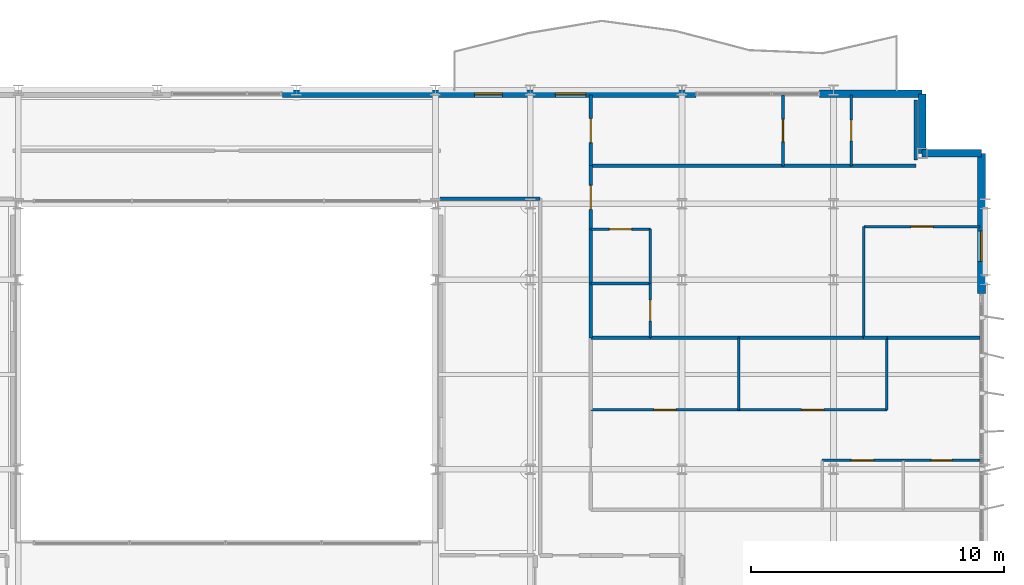
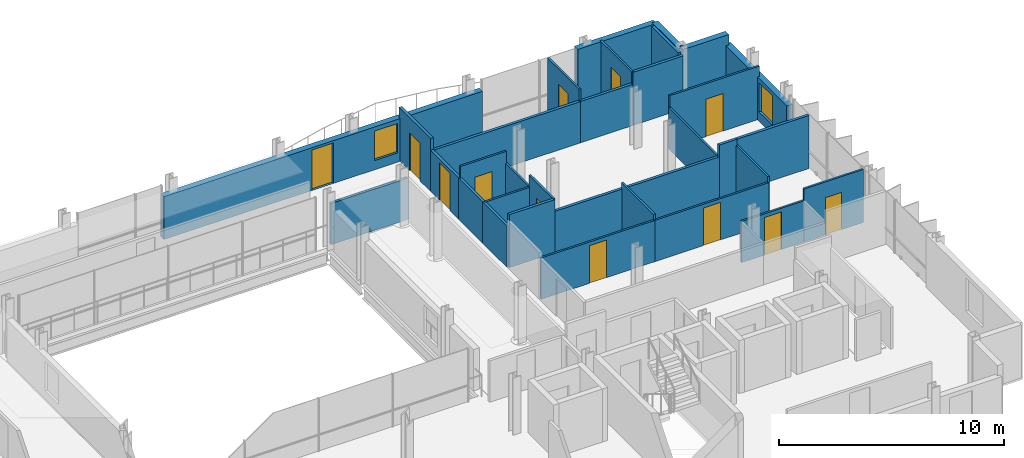
# One storey, part 33 of 38: 33 walls, 12 doors, 2 windows, 14 openings.
"""IFC4 building model written with IfcOpenShell, lengths in metres."""

from ifc_helpers import new_model, si_unit, direction, frame, frame_2d, origin, place, context, subcontext, project, spatial, rectangle, extrude, material, layer, layer_set, type_object, element, fill, save


model = new_model("IFC4")

# Units and contexts
model_context = context("Model", 3, precision=1e-05, world=origin(), true_north=direction((0.0, 1.0)))
body_context = subcontext(model_context, "Body", "Model", "MODEL_VIEW")
ifc_project = project(units=[si_unit("LENGTHUNIT", "METRE"), si_unit("AREAUNIT", "SQUARE_METRE"), si_unit("VOLUMEUNIT", "CUBIC_METRE"), si_unit("PLANEANGLEUNIT", "RADIAN"), si_unit("MASSUNIT", "GRAM", prefix="KILO")], contexts=[model_context])

# Site, building, storey
site_placement = place(None, origin())
site = spatial("IfcSite", under=ifc_project, at=site_placement, CompositionType="ELEMENT")
building_placement = place(site_placement, origin())
building = spatial("IfcBuilding", under=site, at=building_placement, Name="Brevholm Reach", CompositionType="ELEMENT")
storey_placement = place(building_placement, frame((0.0, 0.0, 141.800048828125)))
storey = spatial("IfcBuildingStorey", under=building, at=storey_placement, Name="L42", CompositionType="ELEMENT", Elevation=141.800048828125)

# Walls
ifc_material_1 = material(Name="Concrete C40/50", Category="concrete")
ifc_layer_1 = layer(ifc_material_1, 0.300048828125)
ifc_layer_set_1 = layer_set([ifc_layer_1], Name="Concrete C40/50")
wall_type_1 = type_object("IfcWallType", Name="WAL-EXT-300", PredefinedType="STANDARD", material=ifc_layer_set_1)
for number, where, z_axis, x_axis, name in (
    (1, (59.85009765625, 28.5, 0.0), (0.0, 0.0, 1.0), (-1.0, 0.0, 0.0), "L42 Facade Wall WAL-L42-CNE1"),
    (2, (57.5, 28.5, 0.0), (0.0, 0.0, 1.0), (0.0, 1.0, 0.0), "L42 Facade Wall WAL-L42-CNE2"),
):
    element("IfcWall", number, at=place(storey_placement, frame(where, z_axis=z_axis, x_axis=x_axis)), inside=storey, type_object=wall_type_1, Name=name, PredefinedType="STANDARD", context=body_context, shape_type="SweptSolid", body=[
        extrude(rectangle(XDim=2.35009765625, YDim=0.300048828125, at=frame_2d((1.175048828125, 0.0))), origin(), (0.0, 0.0, 1.0), 2.8798828125),
    ])

# Wall, opening, window
wall_1_placement = place(storey_placement, frame((59.85009765625, 22.949951171875, 0.0), z_axis=(0.0, 0.0, 1.0), x_axis=(0.0, 1.0, 0.0)))
wall_1 = element("IfcWall", 3, at=wall_1_placement, inside=storey, type_object=wall_type_1, Name="L42 Facade Wall WAL-L42-E-N", PredefinedType="STANDARD", context=body_context, shape_type="SweptSolid", body=[
    extrude(rectangle(XDim=5.550048828125, YDim=0.300048828125, at=frame_2d((2.77490234375, 0.0))), origin(), (0.0, 0.0, 1.0), 2.32177734375),
])
opening_1_placement = place(wall_1_placement, frame((1.27001953125, 0.0, 0.501953125)))
opening_1 = element("IfcOpeningElement", 4, at=opening_1_placement, cuts=wall_1, Name="Opening WN-08", PredefinedType="OPENING", context=body_context, shape_type="SweptSolid", body=[
    extrude(rectangle(XDim=1.199951171875, YDim=1.60009765625, at=frame_2d((0.60009765625, 0.800048828125))), frame((0.0, 0.159912109375, 0.0), z_axis=(0.0, -1.0, 0.0), x_axis=(1.0, 0.0, 0.0)), (0.0, 0.0, 1.0), 0.320068359375),
])
ifc_material_2 = material(Name="Dark Anodised Aluminium and Solar-Control IGU Glass", Category="aluminium")
window_type = type_object("IfcWindowType", Name="WIN-RES-1200", PartitioningType="SINGLE_PANEL", PredefinedType="WINDOW", material=ifc_material_2)
window_1_placement = place(opening_1_placement, origin())
window_1 = element("IfcWindow", 5, at=window_1_placement, inside=storey, type_object=window_type, Name="L42 Window WIN-L42-EN-1", OverallHeight=1.60009765625, OverallWidth=1.199951171875, PartitioningType="SINGLE_PANEL", PredefinedType="WINDOW", context=body_context, shape_type="SweptSolid", body=[
    extrude(rectangle(XDim=1.199951171875, YDim=1.60009765625, at=frame_2d((0.60009765625, 0.800048828125))), frame((0.0, 0.030029296875, 0.0), z_axis=(0.0, -1.0, 0.0), x_axis=(1.0, 0.0, 0.0)), (0.0, 0.0, 1.0), 0.06005859375),
])
fill(opening_1, window_1)

# Wall
wall_2_placement = place(storey_placement, frame((53.449951171875, 30.85009765625, 0.0), z_axis=(0.0, 0.0, 1.0), x_axis=(1.0, 0.0, 0.0)))
element("IfcWall", 6, at=wall_2_placement, inside=storey, type_object=wall_type_1, Name="L42 Facade Wall WAL-L42-NP-E0", PredefinedType="STANDARD", context=body_context, shape_type="SweptSolid", body=[
    extrude(rectangle(XDim=4.050048828125, YDim=0.300048828125, at=frame_2d((2.02490234375, 0.0))), origin(), (0.0, 0.0, 1.0), 2.8798828125),
])

# Wall, openings, door, window
wall_3_placement = place(storey_placement, frame((32.199951171875, 30.85009765625, 0.0), z_axis=(0.0, 0.0, 1.0), x_axis=(1.0, 0.0, 0.0)))
wall_3 = element("IfcWall", 7, at=wall_3_placement, inside=storey, type_object=wall_type_1, Name="L42 Facade Wall WAL-L42-NP-ER", PredefinedType="STANDARD", context=body_context, shape_type="SweptSolid", body=[
    extrude(rectangle(XDim=16.35009765625, YDim=0.300048828125, at=frame_2d((8.175048828125, 0.0))), origin(), (0.0, 0.0, 1.0), 2.32177734375),
])
opening_2_placement = place(wall_3_placement, frame((7.60009765625, 0.0, 0.0)))
opening_2 = element("IfcOpeningElement", 8, at=opening_2_placement, cuts=wall_3, Name="Opening BD-01", PredefinedType="OPENING", context=body_context, shape_type="SweptSolid", body=[
    extrude(rectangle(XDim=1.10009765625, YDim=2.199951171875, at=frame_2d((0.550048828125, 1.10009765625))), frame((0.0, 0.159912109375, 0.0), z_axis=(0.0, -1.0, 0.0), x_axis=(1.0, 0.0, 0.0)), (0.0, 0.0, 1.0), 0.320068359375),
])
opening_3_placement = place(wall_3_placement, frame((10.800048828125, 0.0, 0.501953125)))
opening_3 = element("IfcOpeningElement", 9, at=opening_3_placement, cuts=wall_3, Name="Opening WN-08", PredefinedType="OPENING", context=body_context, shape_type="SweptSolid", body=[
    extrude(rectangle(XDim=1.199951171875, YDim=1.60009765625, at=frame_2d((0.60009765625, 0.800048828125))), frame((0.0, 0.159912109375, 0.0), z_axis=(0.0, -1.0, 0.0), x_axis=(1.0, 0.0, 0.0)), (0.0, 0.0, 1.0), 0.320068359375),
])
ifc_material_3 = material(Name="Dark Anodised Aluminium and Triple-Glazed Glass", Category="aluminium")
door_type_1 = type_object("IfcDoorType", Name="DOR-BALC-1100", OperationType="NOTDEFINED", PredefinedType="DOOR", material=ifc_material_3)
door_1_placement = place(opening_2_placement, origin())
door_1 = element("IfcDoor", 10, at=door_1_placement, inside=storey, type_object=door_type_1, Name="L42 Exterior Door DOR-L42-BL-NE", OperationType="SINGLE_SWING_LEFT", OverallHeight=2.199951171875, OverallWidth=1.10009765625, PredefinedType="DOOR", context=body_context, shape_type="SweptSolid", body=[
    extrude(rectangle(XDim=1.10009765625, YDim=2.199951171875, at=frame_2d((0.550048828125, 1.10009765625))), frame((0.0, 0.02490234375, 0.0), z_axis=(0.0, -1.0, 0.0), x_axis=(1.0, 0.0, 0.0)), (0.0, 0.0, 1.0), 0.050048828125),
])
fill(opening_2, door_1)
window_2_placement = place(opening_3_placement, origin())
window_2 = element("IfcWindow", 11, at=window_2_placement, inside=storey, type_object=window_type, Name="L42 Window WIN-L42-NP-ER1", OverallHeight=1.60009765625, OverallWidth=1.199951171875, PartitioningType="SINGLE_PANEL", PredefinedType="WINDOW", context=body_context, shape_type="SweptSolid", body=[
    extrude(rectangle(XDim=1.199951171875, YDim=1.60009765625, at=frame_2d((0.60009765625, 0.800048828125))), frame((0.0, 0.030029296875, 0.0), z_axis=(0.0, -1.0, 0.0), x_axis=(1.0, 0.0, 0.0)), (0.0, 0.0, 1.0), 0.06005859375),
])
fill(opening_3, window_2)

# Wall, opening, door
ifc_material_4 = material(Name="Moisture-Resistant Acoustic Gypsum Stud Partition 100 mm", Category="gypsum")
ifc_layer_2 = layer(ifc_material_4, 0.10009765625)
ifc_layer_set_2 = layer_set([ifc_layer_2], Name="Moisture-Resistant Acoustic Gypsum Stud Partition 100 mm")
wall_type_2 = type_object("IfcWallType", Name="WAL-PRT-100", PredefinedType="PARTITIONING", material=ifc_layer_set_2)
wall_4_placement = place(storey_placement, frame((56.75, 16.35009765625, 0.0), z_axis=(0.0, 0.0, 1.0), x_axis=(1.0, 0.0, 0.0)))
wall_4 = element("IfcWall", 12, at=wall_4_placement, inside=storey, type_object=wall_type_2, Name="L42 Internal Partition 092", PredefinedType="PARTITIONING", context=body_context, shape_type="SweptSolid", body=[
    extrude(rectangle(XDim=3.050048828125, YDim=0.10009765625, at=frame_2d((1.52490234375, 0.0))), origin(), (0.0, 0.0, 1.0), 2.8798828125),
])
opening_4_placement = place(wall_4_placement, frame((1.114990234375, 0.0, 0.0)))
opening_4 = element("IfcOpeningElement", 13, at=opening_4_placement, cuts=wall_4, Name="Opening ID-03", PredefinedType="OPENING", context=body_context, shape_type="SweptSolid", body=[
    extrude(rectangle(XDim=0.820068359375, YDim=2.02001953125, at=frame_2d((0.41015625, 1.010009765625))), frame((0.0, 0.06005859375, 0.0), z_axis=(0.0, -1.0, 0.0), x_axis=(1.0, 0.0, 0.0)), (0.0, 0.0, 1.0), 0.1201171875),
])
ifc_material_5 = material(Name="Moisture-Resistant Painted Timber Internal Bathroom Door", Category="wood")
door_type_2 = type_object("IfcDoorType", Name="DOR-BATH-820", OperationType="NOTDEFINED", PredefinedType="DOOR", material=ifc_material_5)
door_2_placement = place(opening_4_placement, origin())
door_2 = element("IfcDoor", 14, at=door_2_placement, inside=storey, type_object=door_type_2, Name="L42 Internal Door 039", OperationType="SINGLE_SWING_LEFT", OverallHeight=2.02001953125, OverallWidth=0.820068359375, PredefinedType="DOOR", context=body_context, shape_type="SweptSolid", body=[
    extrude(rectangle(XDim=0.820068359375, YDim=2.02001953125, at=frame_2d((0.41015625, 1.010009765625))), frame((0.0, 0.02490234375, 0.0), z_axis=(0.0, -1.0, 0.0), x_axis=(1.0, 0.0, 0.0)), (0.0, 0.0, 1.0), 0.050048828125),
])
fill(opening_4, door_2)

wall_5_placement = place(storey_placement, frame((53.550048828125, 16.35009765625, 0.0), z_axis=(0.0, 0.0, 1.0), x_axis=(1.0, 0.0, 0.0)))
wall_5 = element("IfcWall", 15, at=wall_5_placement, inside=storey, type_object=wall_type_2, Name="L42 Internal Partition 093", PredefinedType="PARTITIONING", context=body_context, shape_type="SweptSolid", body=[
    extrude(rectangle(XDim=3.196044921875, YDim=0.10009765625, at=frame_2d((1.59814453125, 0.0))), origin(), (0.0, 0.0, 1.0), 2.24267578125),
])
opening_5_placement = place(wall_5_placement, frame((1.157958984375, 0.0, 0.0)))
opening_5 = element("IfcOpeningElement", 16, at=opening_5_placement, cuts=wall_5, Name="Opening ID-01", PredefinedType="OPENING", context=body_context, shape_type="SweptSolid", body=[
    extrude(rectangle(XDim=0.8798828125, YDim=2.0400390625, at=frame_2d((0.43994140625, 1.02001953125))), frame((0.0, 0.06005859375, 0.0), z_axis=(0.0, -1.0, 0.0), x_axis=(1.0, 0.0, 0.0)), (0.0, 0.0, 1.0), 0.1201171875),
])
ifc_material_6 = material(Name="Lacquered Ash Solid-Core Acoustic Internal Door", Category="timber")
door_type_3 = type_object("IfcDoorType", Name="DOR-INT-880", OperationType="NOTDEFINED", PredefinedType="DOOR", material=ifc_material_6)
door_3_placement = place(opening_5_placement, origin())
door_3 = element("IfcDoor", 17, at=door_3_placement, inside=storey, type_object=door_type_3, Name="L42 Internal Door 040", OperationType="SINGLE_SWING_RIGHT", OverallHeight=2.0400390625, OverallWidth=0.8798828125, PredefinedType="DOOR", context=body_context, shape_type="SweptSolid", body=[
    extrude(rectangle(XDim=0.8798828125, YDim=2.0400390625, at=frame_2d((0.43994140625, 1.02001953125))), frame((0.0, 0.02490234375, 0.0), z_axis=(0.0, -1.0, 0.0), x_axis=(1.0, 0.0, 0.0)), (0.0, 0.0, 1.0), 0.050048828125),
])
fill(opening_5, door_3)

# Wall
wall_6_placement = place(storey_placement, frame((50.251953125, 18.35009765625, 0.0), z_axis=(0.0, 0.0, 1.0), x_axis=(0.0, 1.0, 0.0)))
element("IfcWall", 18, at=wall_6_placement, inside=storey, type_object=wall_type_2, Name="L42 Internal Partition 095", PredefinedType="PARTITIONING", context=body_context, shape_type="SweptSolid", body=[
    extrude(rectangle(XDim=2.849853515625, YDim=0.10009765625, at=frame_2d((1.4248046875, 0.0))), origin(), (0.0, 0.0, 1.0), 2.551513671875),
])

# Wall, opening, door
wall_7_placement = place(storey_placement, frame((44.404052734375, 18.35009765625, 0.0), z_axis=(0.0, 0.0, 1.0), x_axis=(1.0, 0.0, 0.0)))
wall_7 = element("IfcWall", 19, at=wall_7_placement, inside=storey, type_object=wall_type_2, Name="L42 Internal Partition 096", PredefinedType="PARTITIONING", context=body_context, shape_type="SweptSolid", body=[
    extrude(rectangle(XDim=5.847900390625, YDim=0.10009765625, at=frame_2d((2.923828125, 0.0))), origin(), (0.0, 0.0, 1.0), 2.24267578125),
])
opening_6_placement = place(wall_7_placement, frame((2.48388671875, 0.0, 0.0)))
opening_6 = element("IfcOpeningElement", 20, at=opening_6_placement, cuts=wall_7, Name="Opening ID-01", PredefinedType="OPENING", context=body_context, shape_type="SweptSolid", body=[
    extrude(rectangle(XDim=0.8798828125, YDim=2.0400390625, at=frame_2d((0.43994140625, 1.02001953125))), frame((0.0, 0.06005859375, 0.0), z_axis=(0.0, -1.0, 0.0), x_axis=(1.0, 0.0, 0.0)), (0.0, 0.0, 1.0), 0.1201171875),
])
door_4_placement = place(opening_6_placement, origin())
door_4 = element("IfcDoor", 21, at=door_4_placement, inside=storey, type_object=door_type_3, Name="L42 Internal Door 041", OperationType="SINGLE_SWING_LEFT", OverallHeight=2.0400390625, OverallWidth=0.8798828125, PredefinedType="DOOR", context=body_context, shape_type="SweptSolid", body=[
    extrude(rectangle(XDim=0.8798828125, YDim=2.0400390625, at=frame_2d((0.43994140625, 1.02001953125))), frame((0.0, 0.02490234375, 0.0), z_axis=(0.0, -1.0, 0.0), x_axis=(1.0, 0.0, 0.0)), (0.0, 0.0, 1.0), 0.050048828125),
])
fill(opening_6, door_4)

wall_8_placement = place(storey_placement, frame((50.256103515625, 18.35009765625, 0.0), z_axis=(0.0, 0.0, 1.0), x_axis=(1.0, 0.0, 0.0)))
wall_8 = element("IfcWall", 22, at=wall_8_placement, inside=storey, type_object=wall_type_2, Name="L42 Internal Partition 099", PredefinedType="PARTITIONING", context=body_context, shape_type="SweptSolid", body=[
    extrude(rectangle(XDim=5.847900390625, YDim=0.10009765625, at=frame_2d((2.923828125, 0.0))), origin(), (0.0, 0.0, 1.0), 2.24267578125),
])
opening_7_placement = place(wall_8_placement, frame((2.48388671875, 0.0, 0.0)))
opening_7 = element("IfcOpeningElement", 23, at=opening_7_placement, cuts=wall_8, Name="Opening ID-01", PredefinedType="OPENING", context=body_context, shape_type="SweptSolid", body=[
    extrude(rectangle(XDim=0.8798828125, YDim=2.0400390625, at=frame_2d((0.43994140625, 1.02001953125))), frame((0.0, 0.06005859375, 0.0), z_axis=(0.0, -1.0, 0.0), x_axis=(1.0, 0.0, 0.0)), (0.0, 0.0, 1.0), 0.1201171875),
])
door_5_placement = place(opening_7_placement, origin())
door_5 = element("IfcDoor", 24, at=door_5_placement, inside=storey, type_object=door_type_3, Name="L42 Internal Door 042", OperationType="SINGLE_SWING_RIGHT", OverallHeight=2.0400390625, OverallWidth=0.8798828125, PredefinedType="DOOR", context=body_context, shape_type="SweptSolid", body=[
    extrude(rectangle(XDim=0.8798828125, YDim=2.0400390625, at=frame_2d((0.43994140625, 1.02001953125))), frame((0.0, 0.02490234375, 0.0), z_axis=(0.0, -1.0, 0.0), x_axis=(1.0, 0.0, 0.0)), (0.0, 0.0, 1.0), 0.050048828125),
])
fill(opening_7, door_5)

# Walls
wall_9_placement = place(storey_placement, frame((56.10400390625, 18.35009765625, 0.0), z_axis=(0.0, 0.0, 1.0), x_axis=(0.0, 1.0, 0.0)))
element("IfcWall", 25, at=wall_9_placement, inside=storey, type_object=wall_type_2, Name="L42 Internal Partition 100", PredefinedType="PARTITIONING", context=body_context, shape_type="SweptSolid", body=[
    extrude(rectangle(XDim=2.849853515625, YDim=0.10009765625, at=frame_2d((1.4248046875, 0.0))), origin(), (0.0, 0.0, 1.0), 2.551513671875),
])
wall_10_placement = place(storey_placement, frame((44.404052734375, 23.35009765625, 0.0), z_axis=(0.0, 0.0, 1.0), x_axis=(1.0, 0.0, 0.0)))
element("IfcWall", 26, at=wall_10_placement, inside=storey, type_object=wall_type_2, Name="L42 Internal Partition 104", PredefinedType="PARTITIONING", context=body_context, shape_type="SweptSolid", body=[
    extrude(rectangle(XDim=2.345947265625, YDim=0.10009765625, at=frame_2d((1.1728515625, 0.0))), origin(), (0.0, 0.0, 1.0), 2.24267578125),
])

# Wall, opening, door
wall_11_placement = place(storey_placement, frame((46.75, 21.2041015625, 0.0), z_axis=(0.0, 0.0, 1.0), x_axis=(0.0, 1.0, 0.0)))
wall_11 = element("IfcWall", 27, at=wall_11_placement, inside=storey, type_object=wall_type_2, Name="L42 Internal Partition 105", PredefinedType="PARTITIONING", context=body_context, shape_type="SweptSolid", body=[
    extrude(rectangle(XDim=2.14599609375, YDim=0.10009765625, at=frame_2d((1.072998046875, 0.0))), origin(), (0.0, 0.0, 1.0), 2.8798828125),
])
opening_8_placement = place(wall_11_placement, frame((0.6630859375, 0.0, 0.0)))
opening_8 = element("IfcOpeningElement", 28, at=opening_8_placement, cuts=wall_11, Name="Opening ID-03", PredefinedType="OPENING", context=body_context, shape_type="SweptSolid", body=[
    extrude(rectangle(XDim=0.820068359375, YDim=2.02001953125, at=frame_2d((0.41015625, 1.010009765625))), frame((0.0, 0.06005859375, 0.0), z_axis=(0.0, -1.0, 0.0), x_axis=(1.0, 0.0, 0.0)), (0.0, 0.0, 1.0), 0.1201171875),
])
door_6_placement = place(opening_8_placement, origin())
door_6 = element("IfcDoor", 29, at=door_6_placement, inside=storey, type_object=door_type_2, Name="L42 Internal Door 043", OperationType="SINGLE_SWING_LEFT", OverallHeight=2.02001953125, OverallWidth=0.820068359375, PredefinedType="DOOR", context=body_context, shape_type="SweptSolid", body=[
    extrude(rectangle(XDim=0.820068359375, YDim=2.02001953125, at=frame_2d((0.41015625, 1.010009765625))), frame((0.0, 0.02490234375, 0.0), z_axis=(0.0, -1.0, 0.0), x_axis=(1.0, 0.0, 0.0)), (0.0, 0.0, 1.0), 0.050048828125),
])
fill(opening_8, door_6)

# Wall
wall_12_placement = place(storey_placement, frame((46.75, 23.35400390625, 0.0), z_axis=(0.0, 0.0, 1.0), x_axis=(0.0, 1.0, 0.0)))
element("IfcWall", 30, at=wall_12_placement, inside=storey, type_object=wall_type_2, Name="L42 Internal Partition 106", PredefinedType="PARTITIONING", context=body_context, shape_type="SweptSolid", body=[
    extrude(rectangle(XDim=2.14599609375, YDim=0.10009765625, at=frame_2d((1.072998046875, 0.0))), origin(), (0.0, 0.0, 1.0), 2.24267578125),
])

# Wall, opening, door
wall_13_placement = place(storey_placement, frame((44.404052734375, 25.5, 0.0), z_axis=(0.0, 0.0, 1.0), x_axis=(1.0, 0.0, 0.0)))
wall_13 = element("IfcWall", 31, at=wall_13_placement, inside=storey, type_object=wall_type_2, Name="L42 Internal Partition 107", PredefinedType="PARTITIONING", context=body_context, shape_type="SweptSolid", body=[
    extrude(rectangle(XDim=2.345947265625, YDim=0.10009765625, at=frame_2d((1.1728515625, 0.0))), origin(), (0.0, 0.0, 1.0), 2.8798828125),
])
opening_9_placement = place(wall_13_placement, frame((0.73291015625, 0.0, 0.0)))
opening_9 = element("IfcOpeningElement", 32, at=opening_9_placement, cuts=wall_13, Name="Opening ID-01", PredefinedType="OPENING", context=body_context, shape_type="SweptSolid", body=[
    extrude(rectangle(XDim=0.8798828125, YDim=2.0400390625, at=frame_2d((0.43994140625, 1.02001953125))), frame((0.0, 0.06005859375, 0.0), z_axis=(0.0, -1.0, 0.0), x_axis=(1.0, 0.0, 0.0)), (0.0, 0.0, 1.0), 0.1201171875),
])
door_7_placement = place(opening_9_placement, origin())
door_7 = element("IfcDoor", 33, at=door_7_placement, inside=storey, type_object=door_type_3, Name="L42 Internal Door 044", OperationType="SINGLE_SWING_RIGHT", OverallHeight=2.0400390625, OverallWidth=0.8798828125, PredefinedType="DOOR", context=body_context, shape_type="SweptSolid", body=[
    extrude(rectangle(XDim=0.8798828125, YDim=2.0400390625, at=frame_2d((0.43994140625, 1.02001953125))), frame((0.0, 0.02490234375, 0.0), z_axis=(0.0, -1.0, 0.0), x_axis=(1.0, 0.0, 0.0)), (0.0, 0.0, 1.0), 0.050048828125),
])
fill(opening_9, door_7)

wall_14_placement = place(storey_placement, frame((55.199951171875, 25.60009765625, 0.0), z_axis=(0.0, 0.0, 1.0), x_axis=(1.0, 0.0, 0.0)))
wall_14 = element("IfcWall", 34, at=wall_14_placement, inside=storey, type_object=wall_type_2, Name="L42 Internal Partition 108", PredefinedType="PARTITIONING", context=body_context, shape_type="SweptSolid", body=[
    extrude(rectangle(XDim=4.60009765625, YDim=0.10009765625, at=frame_2d((2.300048828125, 0.0))), origin(), (0.0, 0.0, 1.0), 2.8798828125),
])
opening_10_placement = place(wall_14_placement, frame((1.860107421875, 0.0, 0.0)))
opening_10 = element("IfcOpeningElement", 35, at=opening_10_placement, cuts=wall_14, Name="Opening ID-01", PredefinedType="OPENING", context=body_context, shape_type="SweptSolid", body=[
    extrude(rectangle(XDim=0.8798828125, YDim=2.0400390625, at=frame_2d((0.43994140625, 1.02001953125))), frame((0.0, 0.06005859375, 0.0), z_axis=(0.0, -1.0, 0.0), x_axis=(1.0, 0.0, 0.0)), (0.0, 0.0, 1.0), 0.1201171875),
])
door_8_placement = place(opening_10_placement, origin())
door_8 = element("IfcDoor", 36, at=door_8_placement, inside=storey, type_object=door_type_3, Name="L42 Internal Door 045", OperationType="SINGLE_SWING_LEFT", OverallHeight=2.0400390625, OverallWidth=0.8798828125, PredefinedType="DOOR", context=body_context, shape_type="SweptSolid", body=[
    extrude(rectangle(XDim=0.8798828125, YDim=2.0400390625, at=frame_2d((0.43994140625, 1.02001953125))), frame((0.0, 0.02490234375, 0.0), z_axis=(0.0, -1.0, 0.0), x_axis=(1.0, 0.0, 0.0)), (0.0, 0.0, 1.0), 0.050048828125),
])
fill(opening_10, door_8)

# Wall
wall_15_placement = place(storey_placement, frame((55.199951171875, 21.2041015625, 0.0), z_axis=(0.0, 0.0, 1.0), x_axis=(0.0, 1.0, 0.0)))
element("IfcWall", 37, at=wall_15_placement, inside=storey, type_object=wall_type_2, Name="L42 Internal Partition 109", PredefinedType="PARTITIONING", context=body_context, shape_type="SweptSolid", body=[
    extrude(rectangle(XDim=4.39599609375, YDim=0.10009765625, at=frame_2d((2.197998046875, 0.0))), origin(), (0.0, 0.0, 1.0), 2.24267578125),
])

# Wall, opening, door
wall_16_placement = place(storey_placement, frame((54.699951171875, 28.00390625, 0.0), z_axis=(0.0, 0.0, 1.0), x_axis=(0.0, 1.0, 0.0)))
wall_16 = element("IfcWall", 38, at=wall_16_placement, inside=storey, type_object=wall_type_2, Name="L42 Internal Partition 115", PredefinedType="PARTITIONING", context=body_context, shape_type="SweptSolid", body=[
    extrude(rectangle(XDim=2.796142578125, YDim=0.10009765625, at=frame_2d((1.39794921875, 0.0))), origin(), (0.0, 0.0, 1.0), 2.8798828125),
])
opening_11_placement = place(wall_16_placement, frame((0.988037109375, 0.0, 0.0)))
opening_11 = element("IfcOpeningElement", 39, at=opening_11_placement, cuts=wall_16, Name="Opening ID-03", PredefinedType="OPENING", context=body_context, shape_type="SweptSolid", body=[
    extrude(rectangle(XDim=0.820068359375, YDim=2.02001953125, at=frame_2d((0.41015625, 1.010009765625))), frame((0.0, 0.06005859375, 0.0), z_axis=(0.0, -1.0, 0.0), x_axis=(1.0, 0.0, 0.0)), (0.0, 0.0, 1.0), 0.1201171875),
])
door_9_placement = place(opening_11_placement, origin())
door_9 = element("IfcDoor", 40, at=door_9_placement, inside=storey, type_object=door_type_2, Name="L42 Access Door 049", OperationType="SINGLE_SWING_LEFT", OverallHeight=2.02001953125, OverallWidth=0.820068359375, PredefinedType="DOOR", context=body_context, shape_type="SweptSolid", body=[
    extrude(rectangle(XDim=0.820068359375, YDim=2.02001953125, at=frame_2d((0.41015625, 1.010009765625))), frame((0.0, 0.02490234375, 0.0), z_axis=(0.0, -1.0, 0.0), x_axis=(1.0, 0.0, 0.0)), (0.0, 0.0, 1.0), 0.050048828125),
])
fill(opening_11, door_9)

wall_17_placement = place(storey_placement, frame((52.0, 28.00390625, 0.0), z_axis=(0.0, 0.0, 1.0), x_axis=(0.0, 1.0, 0.0)))
wall_17 = element("IfcWall", 41, at=wall_17_placement, inside=storey, type_object=wall_type_2, Name="L42 Internal Partition 116", PredefinedType="PARTITIONING", context=body_context, shape_type="SweptSolid", body=[
    extrude(rectangle(XDim=2.796142578125, YDim=0.10009765625, at=frame_2d((1.39794921875, 0.0))), origin(), (0.0, 0.0, 1.0), 2.8798828125),
])
opening_12_placement = place(wall_17_placement, frame((0.9580078125, 0.0, 0.0)))
opening_12 = element("IfcOpeningElement", 42, at=opening_12_placement, cuts=wall_17, Name="Opening ID-01", PredefinedType="OPENING", context=body_context, shape_type="SweptSolid", body=[
    extrude(rectangle(XDim=0.8798828125, YDim=2.0400390625, at=frame_2d((0.43994140625, 1.02001953125))), frame((0.0, 0.06005859375, 0.0), z_axis=(0.0, -1.0, 0.0), x_axis=(1.0, 0.0, 0.0)), (0.0, 0.0, 1.0), 0.1201171875),
])
door_10_placement = place(opening_12_placement, origin())
door_10 = element("IfcDoor", 43, at=door_10_placement, inside=storey, type_object=door_type_3, Name="L42 Internal Door 047", OperationType="SINGLE_SWING_LEFT", OverallHeight=2.0400390625, OverallWidth=0.8798828125, PredefinedType="DOOR", context=body_context, shape_type="SweptSolid", body=[
    extrude(rectangle(XDim=0.8798828125, YDim=2.0400390625, at=frame_2d((0.43994140625, 1.02001953125))), frame((0.0, 0.02490234375, 0.0), z_axis=(0.0, -1.0, 0.0), x_axis=(1.0, 0.0, 0.0)), (0.0, 0.0, 1.0), 0.050048828125),
])
fill(opening_12, door_10)

# Walls
ifc_material_7 = material(Name="Twin-Stud Acoustic Fire-Rated Gypsum Partition 140 mm", Category="gypsum")
ifc_layer_3 = layer(ifc_material_7, 0.139892578125)
ifc_layer_set_3 = layer_set([ifc_layer_3], Name="Twin-Stud Acoustic Fire-Rated Gypsum Partition 140 mm")
wall_type_3 = type_object("IfcWallType", Name="WAL-PRT-140", PredefinedType="PARTITIONING", material=ifc_layer_set_3)
wall_18_placement = place(storey_placement, frame((44.39990234375, 21.192626953125, 0.0), z_axis=(0.0, 0.0, 1.0), x_axis=(0.0, 1.0, 0.0)))
element("IfcWall", 44, at=wall_18_placement, inside=storey, type_object=wall_type_3, Name="L42 Internal Partition 044", PredefinedType="PARTITIONING", context=body_context, shape_type="SweptSolid", body=[
    extrude(rectangle(XDim=2.168701171875, YDim=0.139892578125, at=frame_2d((1.08447265625, 0.0))), origin(), (0.0, 0.0, 1.0), 2.24267578125),
])
wall_19_placement = place(storey_placement, frame((44.39990234375, 23.3427734375, 0.0), z_axis=(0.0, 0.0, 1.0), x_axis=(0.0, 1.0, 0.0)))
element("IfcWall", 45, at=wall_19_placement, inside=storey, type_object=wall_type_3, Name="L42 Internal Partition 045", PredefinedType="PARTITIONING", context=body_context, shape_type="SweptSolid", body=[
    extrude(rectangle(XDim=2.16845703125, YDim=0.139892578125, at=frame_2d((1.084228515625, 0.0))), origin(), (0.0, 0.0, 1.0), 2.24267578125),
])

# Wall, opening, door
wall_20_placement = place(storey_placement, frame((44.39990234375, 25.49267578125, 0.0), z_axis=(0.0, 0.0, 1.0), x_axis=(0.0, 1.0, 0.0)))
wall_20 = element("IfcWall", 46, at=wall_20_placement, inside=storey, type_object=wall_type_3, Name="L42 Internal Partition 046", PredefinedType="PARTITIONING", context=body_context, shape_type="SweptSolid", body=[
    extrude(rectangle(XDim=2.5185546875, YDim=0.139892578125, at=frame_2d((1.25927734375, 0.0))), origin(), (0.0, 0.0, 1.0), 2.24267578125),
])
opening_13_placement = place(wall_20_placement, frame((0.7841796875, 0.0, 0.0)))
opening_13 = element("IfcOpeningElement", 47, at=opening_13_placement, cuts=wall_20, Name="Opening ID-30", PredefinedType="OPENING", context=body_context, shape_type="SweptSolid", body=[
    extrude(rectangle(XDim=0.949951171875, YDim=2.050048828125, at=frame_2d((0.47509765625, 1.02490234375))), frame((0.0, 0.079833984375, 0.0), z_axis=(0.0, -1.0, 0.0), x_axis=(1.0, 0.0, 0.0)), (0.0, 0.0, 1.0), 0.159912109375),
])
ifc_material_8 = material(Name="European Oak Veneered Solid-Core Fire Entrance Door", Category="timber")
door_type_4 = type_object("IfcDoorType", Name="DOR-FLT-FD30S", OperationType="NOTDEFINED", PredefinedType="DOOR", material=ifc_material_8)
door_11_placement = place(opening_13_placement, origin())
door_11 = element("IfcDoor", 48, at=door_11_placement, inside=storey, type_object=door_type_4, Name="L42 Internal Door 023", OperationType="SINGLE_SWING_LEFT", OverallHeight=2.050048828125, OverallWidth=0.949951171875, PredefinedType="DOOR", context=body_context, shape_type="SweptSolid", body=[
    extrude(rectangle(XDim=0.949951171875, YDim=2.050048828125, at=frame_2d((0.47509765625, 1.02490234375))), frame((0.0, 0.02490234375, 0.0), z_axis=(0.0, -1.0, 0.0), x_axis=(1.0, 0.0, 0.0)), (0.0, 0.0, 1.0), 0.050048828125),
])
fill(opening_13, door_11)

wall_21_placement = place(storey_placement, frame((44.39990234375, 27.99267578125, 0.0), z_axis=(0.0, 0.0, 1.0), x_axis=(0.0, 1.0, 0.0)))
wall_21 = element("IfcWall", 49, at=wall_21_placement, inside=storey, type_object=wall_type_3, Name="L42 Internal Partition 048", PredefinedType="PARTITIONING", context=body_context, shape_type="SweptSolid", body=[
    extrude(rectangle(XDim=2.807373046875, YDim=0.139892578125, at=frame_2d((1.40380859375, 0.0))), origin(), (0.0, 0.0, 1.0), 2.8798828125),
])
opening_14_placement = place(wall_21_placement, frame((0.9287109375, 0.0, 0.0)))
opening_14 = element("IfcOpeningElement", 50, at=opening_14_placement, cuts=wall_21, Name="Opening ID-30", PredefinedType="OPENING", context=body_context, shape_type="SweptSolid", body=[
    extrude(rectangle(XDim=0.949951171875, YDim=2.050048828125, at=frame_2d((0.47509765625, 1.02490234375))), frame((0.0, 0.079833984375, 0.0), z_axis=(0.0, -1.0, 0.0), x_axis=(1.0, 0.0, 0.0)), (0.0, 0.0, 1.0), 0.159912109375),
])
door_12_placement = place(opening_14_placement, origin())
door_12 = element("IfcDoor", 51, at=door_12_placement, inside=storey, type_object=door_type_4, Name="L42 Internal Door 024", OperationType="SINGLE_SWING_RIGHT", OverallHeight=2.050048828125, OverallWidth=0.949951171875, PredefinedType="DOOR", context=body_context, shape_type="SweptSolid", body=[
    extrude(rectangle(XDim=0.949951171875, YDim=2.050048828125, at=frame_2d((0.47509765625, 1.02490234375))), frame((0.0, 0.02490234375, 0.0), z_axis=(0.0, -1.0, 0.0), x_axis=(1.0, 0.0, 0.0)), (0.0, 0.0, 1.0), 0.050048828125),
])
fill(opening_14, door_12)

# Walls
wall_22_placement = place(storey_placement, frame((38.438720703125, 26.699951171875, 0.0), z_axis=(0.0, 0.0, 1.0), x_axis=(1.0, 0.0, 0.0)))
element("IfcWall", 52, at=wall_22_placement, inside=storey, type_object=wall_type_3, Name="L42 Internal Partition 053", PredefinedType="PARTITIONING", context=body_context, shape_type="SweptSolid", body=[
    extrude(rectangle(XDim=3.957275390625, YDim=0.139892578125, at=frame_2d((1.978515625, 0.0))), origin(), (0.0, 0.0, 1.0), 2.24267578125),
])
wall_23_placement = place(storey_placement, frame((44.404052734375, 21.199951171875, 0.0), z_axis=(0.0, 0.0, 1.0), x_axis=(1.0, 0.0, 0.0)))
element("IfcWall", 53, at=wall_23_placement, inside=storey, type_object=wall_type_3, Name="L42 Internal Partition 097", PredefinedType="PARTITIONING", context=body_context, shape_type="SweptSolid", body=[
    extrude(rectangle(XDim=2.357177734375, YDim=0.139892578125, at=frame_2d((1.1787109375, 0.0))), origin(), (0.0, 0.0, 1.0), 2.8798828125),
])
wall_24_placement = place(storey_placement, frame((46.74267578125, 21.199951171875, 0.0), z_axis=(0.0, 0.0, 1.0), x_axis=(1.0, 0.0, 0.0)))
element("IfcWall", 54, at=wall_24_placement, inside=storey, type_object=wall_type_3, Name="L42 Internal Partition 098", PredefinedType="PARTITIONING", context=body_context, shape_type="SweptSolid", body=[
    extrude(rectangle(XDim=3.50927734375, YDim=0.139892578125, at=frame_2d((1.754638671875, 0.0))), origin(), (0.0, 0.0, 1.0), 2.24267578125),
])
wall_25_placement = place(storey_placement, frame((55.188720703125, 21.199951171875, 0.0), z_axis=(0.0, 0.0, 1.0), x_axis=(1.0, 0.0, 0.0)))
element("IfcWall", 55, at=wall_25_placement, inside=storey, type_object=wall_type_3, Name="L42 Internal Partition 101", PredefinedType="PARTITIONING", context=body_context, shape_type="SweptSolid", body=[
    extrude(rectangle(XDim=0.915283203125, YDim=0.139892578125, at=frame_2d((0.45751953125, 0.0))), origin(), (0.0, 0.0, 1.0), 2.8798828125),
])
wall_26_placement = place(storey_placement, frame((50.256103515625, 21.199951171875, 0.0), z_axis=(0.0, 0.0, 1.0), x_axis=(1.0, 0.0, 0.0)))
element("IfcWall", 56, at=wall_26_placement, inside=storey, type_object=wall_type_3, Name="L42 Internal Partition 102", PredefinedType="PARTITIONING", context=body_context, shape_type="SweptSolid", body=[
    extrude(rectangle(XDim=4.951171875, YDim=0.139892578125, at=frame_2d((2.4755859375, 0.0))), origin(), (0.0, 0.0, 1.0), 2.24267578125),
])
wall_27_placement = place(storey_placement, frame((56.10791015625, 21.199951171875, 0.0), z_axis=(0.0, 0.0, 1.0), x_axis=(1.0, 0.0, 0.0)))
element("IfcWall", 57, at=wall_27_placement, inside=storey, type_object=wall_type_3, Name="L42 Internal Partition 103", PredefinedType="PARTITIONING", context=body_context, shape_type="SweptSolid", body=[
    extrude(rectangle(XDim=3.692138671875, YDim=0.139892578125, at=frame_2d((1.84619140625, 0.0))), origin(), (0.0, 0.0, 1.0), 2.8798828125),
])
wall_28_placement = place(storey_placement, frame((54.688720703125, 28.0, 0.0), z_axis=(0.0, 0.0, 1.0), x_axis=(1.0, 0.0, 0.0)))
element("IfcWall", 58, at=wall_28_placement, inside=storey, type_object=wall_type_3, Name="L42 Internal Partition 110", PredefinedType="PARTITIONING", context=body_context, shape_type="SweptSolid", body=[
    extrude(rectangle(XDim=2.572509765625, YDim=0.139892578125, at=frame_2d((1.2861328125, 0.0))), origin(), (0.0, 0.0, 1.0), 2.8798828125),
])
wall_29_placement = place(storey_placement, frame((51.98876953125, 28.0, 0.0), z_axis=(0.0, 0.0, 1.0), x_axis=(1.0, 0.0, 0.0)))
element("IfcWall", 59, at=wall_29_placement, inside=storey, type_object=wall_type_3, Name="L42 Internal Partition 111", PredefinedType="PARTITIONING", context=body_context, shape_type="SweptSolid", body=[
    extrude(rectangle(XDim=2.718505859375, YDim=0.139892578125, at=frame_2d((1.359375, 0.0))), origin(), (0.0, 0.0, 1.0), 2.24267578125),
])
wall_30_placement = place(storey_placement, frame((44.404052734375, 28.0, 0.0), z_axis=(0.0, 0.0, 1.0), x_axis=(1.0, 0.0, 0.0)))
element("IfcWall", 60, at=wall_30_placement, inside=storey, type_object=wall_type_3, Name="L42 Internal Partition 112", PredefinedType="PARTITIONING", context=body_context, shape_type="SweptSolid", body=[
    extrude(rectangle(XDim=7.603271484375, YDim=0.139892578125, at=frame_2d((3.8017578125, 0.0))), origin(), (0.0, 0.0, 1.0), 2.24267578125),
])
wall_31_placement = place(storey_placement, frame((57.25, 28.239990234375, 0.0), z_axis=(0.0, 0.0, 1.0), x_axis=(0.0, 1.0, 0.0)))
element("IfcWall", 61, at=wall_31_placement, inside=storey, type_object=wall_type_3, Name="L42 Internal Partition 122", PredefinedType="PARTITIONING", context=body_context, shape_type="SweptSolid", body=[
    extrude(rectangle(XDim=2.3701171875, YDim=0.139892578125, at=frame_2d((1.18505859375, 0.0))), origin(), (0.0, 0.0, 1.0), 2.8798828125),
])

save(model, "model.ifc")
